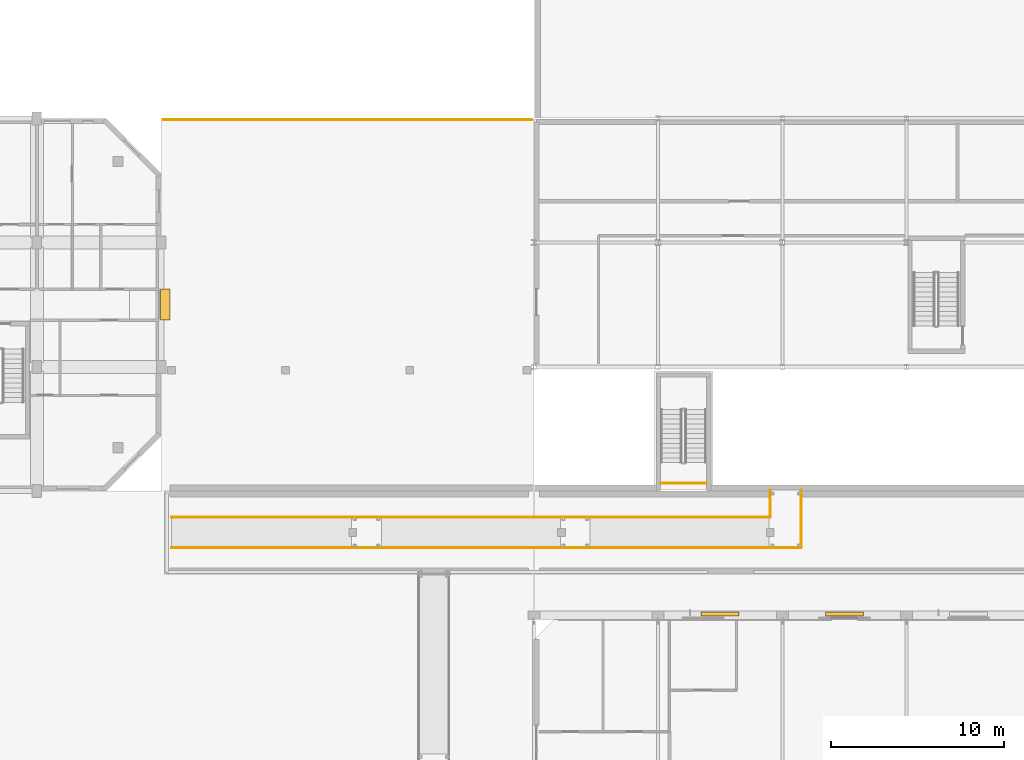
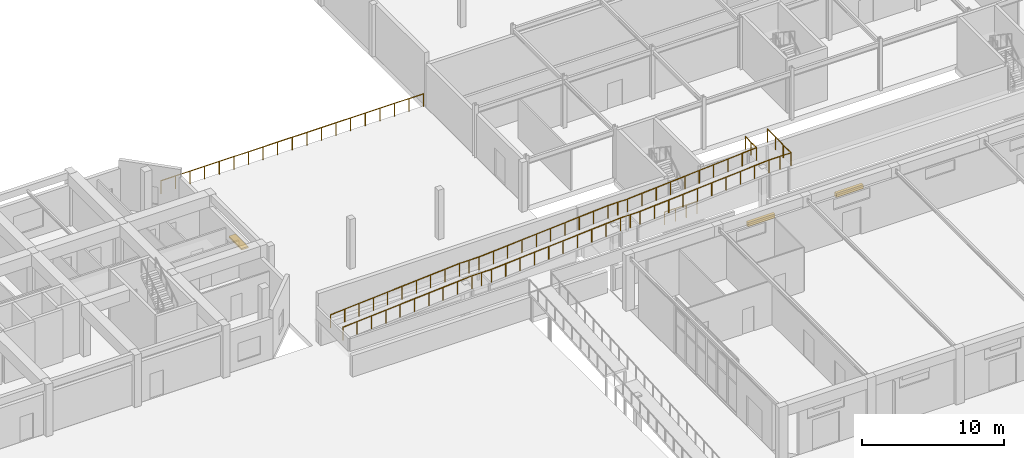
# One storey, part 78 of 85: 4 railings, 3 shading devices.
"""IFC4 building model written with IfcOpenShell, lengths in metres."""

from ifc_helpers import new_model, si_unit, direction, frame, origin, origin_2d, place, context, subcontext, project, spatial, rectangle, circle, extrude, material, type_object, element, save


model = new_model("IFC4")

# Units and contexts
model_context = context("Model", 3, precision=1e-05, world=origin(), true_north=direction((0.0, 1.0)))
body_context = subcontext(model_context, "Body", "Model", "MODEL_VIEW")
ifc_project = project(units=[si_unit("LENGTHUNIT", "METRE"), si_unit("AREAUNIT", "SQUARE_METRE"), si_unit("VOLUMEUNIT", "CUBIC_METRE"), si_unit("PLANEANGLEUNIT", "RADIAN"), si_unit("MASSUNIT", "GRAM", prefix="KILO")], contexts=[model_context])

# Site, building, storey
site_placement = place(None, origin())
site = spatial("IfcSite", under=ifc_project, at=site_placement, CompositionType="ELEMENT")
building_placement = place(site_placement, origin())
building = spatial("IfcBuilding", under=site, at=building_placement, Name="Ochrevale Crest", CompositionType="ELEMENT")
storey_placement = place(building_placement, origin())
storey = spatial("IfcBuildingStorey", under=building, at=storey_placement, Name="L00", CompositionType="ELEMENT", Elevation=0.0)

# Railings
ifc_material_1 = material(Name="Galvanised steel", Category="steel")
railing_type_1 = type_object("IfcRailingType", Name="RL-ST-GUARD-EXT", PredefinedType="BALUSTRADE", material=ifc_material_1)
railing_1_placement = place(storey_placement, frame((67.60009765625, 72.449951171875, 0.0)))
element("IfcRailing", 1, at=railing_1_placement, inside=storey, type_object=railing_type_1, Name="L00 ST-CW1 stair guard 5", PredefinedType="BALUSTRADE", context=body_context, shape_type="SweptSolid", body=[
    extrude(circle(Radius=0.02392578125, at=origin_2d()), frame((0.0, 0.0, 1.076171875), z_axis=(-1.0, 0.0, 0.0), x_axis=(0.0, -1.0, 0.0)), (0.0, 0.0, 1.0), 2.650146484375),
    extrude(circle(Radius=0.02099609375, at=origin_2d()), origin(), (0.0, 0.0, 1.0), 1.052001953125),
    extrude(circle(Radius=0.02099609375, at=origin_2d()), frame((-0.88330078125, 0.0, 0.0)), (0.0, 0.0, 1.0), 1.052001953125),
    extrude(circle(Radius=0.02099609375, at=origin_2d()), frame((-1.766845703125, 0.0, 0.0)), (0.0, 0.0, 1.0), 1.052001953125),
    extrude(circle(Radius=0.02099609375, at=origin_2d()), frame((-2.650146484375, 0.0, 0.0)), (0.0, 0.0, 1.0), 1.052001953125),
])
railing_type_2 = type_object("IfcRailingType", Name="RL-TER-1120", PredefinedType="BALUSTRADE", material=ifc_material_1)
railing_2_placement = place(storey_placement, frame((36.10009765625, 93.52001953125, 0.0)))
element("IfcRailing", 2, at=railing_2_placement, inside=storey, type_object=railing_type_2, Name="West courtyard plaza north balustrade", PredefinedType="BALUSTRADE", context=body_context, shape_type="SweptSolid", body=[
    extrude(circle(Radius=0.02392578125, at=origin_2d()), frame((0.0, 0.0, 1.09619140625), z_axis=(1.0, 0.0, 0.0), x_axis=(0.0, 1.0, 0.0)), (0.0, 0.0, 1.0), 21.39990234375),
    extrude(circle(Radius=0.02099609375, at=origin_2d()), origin(), (0.0, 0.0, 1.0), 1.072021484375),
    extrude(circle(Radius=0.02099609375, at=origin_2d()), frame((1.18896484375, 0.0, 0.0)), (0.0, 0.0, 1.0), 1.072021484375),
    extrude(circle(Radius=0.02099609375, at=origin_2d()), frame((2.377685546875, 0.0, 0.0)), (0.0, 0.0, 1.0), 1.072021484375),
    extrude(circle(Radius=0.02099609375, at=origin_2d()), frame((3.566650390625, 0.0, 0.0)), (0.0, 0.0, 1.0), 1.072021484375),
    extrude(circle(Radius=0.02099609375, at=origin_2d()), frame((4.755615234375, 0.0, 0.0)), (0.0, 0.0, 1.0), 1.072021484375),
    extrude(circle(Radius=0.02099609375, at=origin_2d()), frame((5.9443359375, 0.0, 0.0)), (0.0, 0.0, 1.0), 1.072021484375),
    extrude(circle(Radius=0.02099609375, at=origin_2d()), frame((7.13330078125, 0.0, 0.0)), (0.0, 0.0, 1.0), 1.072021484375),
    extrude(circle(Radius=0.02099609375, at=origin_2d()), frame((8.322265625, 0.0, 0.0)), (0.0, 0.0, 1.0), 1.072021484375),
    extrude(circle(Radius=0.02099609375, at=origin_2d()), frame((9.510986328125, 0.0, 0.0)), (0.0, 0.0, 1.0), 1.072021484375),
    extrude(circle(Radius=0.02099609375, at=origin_2d()), frame((10.699951171875, 0.0, 0.0)), (0.0, 0.0, 1.0), 1.072021484375),
    extrude(circle(Radius=0.02099609375, at=origin_2d()), frame((11.888916015625, 0.0, 0.0)), (0.0, 0.0, 1.0), 1.072021484375),
    extrude(circle(Radius=0.02099609375, at=origin_2d()), frame((13.07763671875, 0.0, 0.0)), (0.0, 0.0, 1.0), 1.072021484375),
    extrude(circle(Radius=0.02099609375, at=origin_2d()), frame((14.2666015625, 0.0, 0.0)), (0.0, 0.0, 1.0), 1.072021484375),
    extrude(circle(Radius=0.02099609375, at=origin_2d()), frame((15.45556640625, 0.0, 0.0)), (0.0, 0.0, 1.0), 1.072021484375),
    extrude(circle(Radius=0.02099609375, at=origin_2d()), frame((16.644287109375, 0.0, 0.0)), (0.0, 0.0, 1.0), 1.072021484375),
    extrude(circle(Radius=0.02099609375, at=origin_2d()), frame((17.833251953125, 0.0, 0.0)), (0.0, 0.0, 1.0), 1.072021484375),
    extrude(circle(Radius=0.02099609375, at=origin_2d()), frame((19.022216796875, 0.0, 0.0)), (0.0, 0.0, 1.0), 1.072021484375),
    extrude(circle(Radius=0.02099609375, at=origin_2d()), frame((20.2109375, 0.0, 0.0)), (0.0, 0.0, 1.0), 1.072021484375),
    extrude(circle(Radius=0.02099609375, at=origin_2d()), frame((21.39990234375, 0.0, 0.0)), (0.0, 0.0, 1.0), 1.072021484375),
])
railing_3_placement = place(storey_placement, frame((36.60009765625, 68.719970703125, 2.25)))
element("IfcRailing", 3, at=railing_3_placement, inside=storey, type_object=railing_type_2, Name="Accessible ramp W2 south guard", PredefinedType="BALUSTRADE", context=body_context, shape_type="SweptSolid", body=[
    extrude(circle(Radius=0.02392578125, at=origin_2d()), frame((0.0, 0.0, 1.09619140625), z_axis=(0.997458699831, 0.0, 0.071247049988), x_axis=(0.0, 1.0, 0.0)), (0.0, 0.0, 1.0), 10.52685546875),
    extrude(circle(Radius=0.02392578125, at=origin_2d()), frame((10.5, 0.0, 1.84619140625), z_axis=(1.0, 0.0, 0.0), x_axis=(0.0, 1.0, 0.0)), (0.0, 0.0, 1.0), 1.599853515625),
    extrude(circle(Radius=0.02392578125, at=origin_2d()), frame((12.099853515625, 0.0, 1.84619140625), z_axis=(0.997458699831, 0.0, 0.071247049988), x_axis=(0.0, 1.0, 0.0)), (0.0, 0.0, 1.0), 10.52685546875),
    extrude(circle(Radius=0.02392578125, at=origin_2d()), frame((22.599853515625, 0.0, 2.59619140625), z_axis=(1.0, 0.0, 0.0), x_axis=(0.0, 1.0, 0.0)), (0.0, 0.0, 1.0), 1.60009765625),
    extrude(circle(Radius=0.02392578125, at=origin_2d()), frame((24.199951171875, 0.0, 2.59619140625), z_axis=(0.997458699831, 0.0, 0.071247049988), x_axis=(0.0, 1.0, 0.0)), (0.0, 0.0, 1.0), 10.52685546875),
    extrude(circle(Radius=0.02392578125, at=origin_2d()), frame((34.699951171875, 0.0, 3.34619140625), z_axis=(1.0, 0.0, 0.0), x_axis=(0.0, 1.0, 0.0)), (0.0, 0.0, 1.0), 1.800048828125),
    extrude(circle(Radius=0.02392578125, at=origin_2d()), frame((36.5, 0.0, 3.34619140625), z_axis=(0.0, 1.0, 0.0), x_axis=(-1.0, 0.0, 0.0)), (0.0, 0.0, 1.0), 3.330078125),
    extrude(circle(Radius=0.02099609375, at=origin_2d()), origin(), (0.0, 0.0, 1.0), 1.072021484375),
    extrude(circle(Radius=0.02099609375, at=origin_2d()), frame((1.166748046875, 0.0, 0.083251953125)), (0.0, 0.0, 1.0), 1.072021484375),
    extrude(circle(Radius=0.02099609375, at=origin_2d()), frame((2.333251953125, 0.0, 0.166748046875)), (0.0, 0.0, 1.0), 1.072021484375),
    extrude(circle(Radius=0.02099609375, at=origin_2d()), frame((3.5, 0.0, 0.25)), (0.0, 0.0, 1.0), 1.072021484375),
    extrude(circle(Radius=0.02099609375, at=origin_2d()), frame((4.666748046875, 0.0, 0.333251953125)), (0.0, 0.0, 1.0), 1.072021484375),
    extrude(circle(Radius=0.02099609375, at=origin_2d()), frame((5.833251953125, 0.0, 0.416748046875)), (0.0, 0.0, 1.0), 1.072021484375),
    extrude(circle(Radius=0.02099609375, at=origin_2d()), frame((7.0, 0.0, 0.5)), (0.0, 0.0, 1.0), 1.072021484375),
    extrude(circle(Radius=0.02099609375, at=origin_2d()), frame((8.166748046875, 0.0, 0.583251953125)), (0.0, 0.0, 1.0), 1.072021484375),
    extrude(circle(Radius=0.02099609375, at=origin_2d()), frame((9.333251953125, 0.0, 0.666748046875)), (0.0, 0.0, 1.0), 1.072021484375),
    extrude(circle(Radius=0.02099609375, at=origin_2d()), frame((10.5, 0.0, 0.75)), (0.0, 0.0, 1.0), 1.072021484375),
    extrude(circle(Radius=0.02099609375, at=origin_2d()), frame((11.2998046875, 0.0, 0.75)), (0.0, 0.0, 1.0), 1.072021484375),
    extrude(circle(Radius=0.02099609375, at=origin_2d()), frame((12.099853515625, 0.0, 0.75)), (0.0, 0.0, 1.0), 1.072021484375),
    extrude(circle(Radius=0.02099609375, at=origin_2d()), frame((13.2666015625, 0.0, 0.833251953125)), (0.0, 0.0, 1.0), 1.072021484375),
    extrude(circle(Radius=0.02099609375, at=origin_2d()), frame((14.43310546875, 0.0, 0.916748046875)), (0.0, 0.0, 1.0), 1.072021484375),
    extrude(circle(Radius=0.02099609375, at=origin_2d()), frame((15.599853515625, 0.0, 1.0)), (0.0, 0.0, 1.0), 1.072021484375),
    extrude(circle(Radius=0.02099609375, at=origin_2d()), frame((16.7666015625, 0.0, 1.083251953125)), (0.0, 0.0, 1.0), 1.072021484375),
    extrude(circle(Radius=0.02099609375, at=origin_2d()), frame((17.93310546875, 0.0, 1.166748046875)), (0.0, 0.0, 1.0), 1.072021484375),
    extrude(circle(Radius=0.02099609375, at=origin_2d()), frame((19.099853515625, 0.0, 1.25)), (0.0, 0.0, 1.0), 1.072021484375),
    extrude(circle(Radius=0.02099609375, at=origin_2d()), frame((20.2666015625, 0.0, 1.333251953125)), (0.0, 0.0, 1.0), 1.072021484375),
    extrude(circle(Radius=0.02099609375, at=origin_2d()), frame((21.43310546875, 0.0, 1.416748046875)), (0.0, 0.0, 1.0), 1.072021484375),
    extrude(circle(Radius=0.02099609375, at=origin_2d()), frame((22.599853515625, 0.0, 1.5)), (0.0, 0.0, 1.0), 1.072021484375),
    extrude(circle(Radius=0.02099609375, at=origin_2d()), frame((23.39990234375, 0.0, 1.5)), (0.0, 0.0, 1.0), 1.072021484375),
    extrude(circle(Radius=0.02099609375, at=origin_2d()), frame((24.199951171875, 0.0, 1.5)), (0.0, 0.0, 1.0), 1.072021484375),
    extrude(circle(Radius=0.02099609375, at=origin_2d()), frame((25.36669921875, 0.0, 1.583251953125)), (0.0, 0.0, 1.0), 1.072021484375),
    extrude(circle(Radius=0.02099609375, at=origin_2d()), frame((26.533203125, 0.0, 1.666748046875)), (0.0, 0.0, 1.0), 1.072021484375),
    extrude(circle(Radius=0.02099609375, at=origin_2d()), frame((27.699951171875, 0.0, 1.75)), (0.0, 0.0, 1.0), 1.072021484375),
    extrude(circle(Radius=0.02099609375, at=origin_2d()), frame((28.86669921875, 0.0, 1.833251953125)), (0.0, 0.0, 1.0), 1.072021484375),
    extrude(circle(Radius=0.02099609375, at=origin_2d()), frame((30.033203125, 0.0, 1.916748046875)), (0.0, 0.0, 1.0), 1.072021484375),
    extrude(circle(Radius=0.02099609375, at=origin_2d()), frame((31.199951171875, 0.0, 2.0)), (0.0, 0.0, 1.0), 1.072021484375),
    extrude(circle(Radius=0.02099609375, at=origin_2d()), frame((32.36669921875, 0.0, 2.083251953125)), (0.0, 0.0, 1.0), 1.072021484375),
    extrude(circle(Radius=0.02099609375, at=origin_2d()), frame((33.533203125, 0.0, 2.166748046875)), (0.0, 0.0, 1.0), 1.072021484375),
    extrude(circle(Radius=0.02099609375, at=origin_2d()), frame((34.699951171875, 0.0, 2.25)), (0.0, 0.0, 1.0), 1.072021484375),
    extrude(circle(Radius=0.02099609375, at=origin_2d()), frame((35.60009765625, 0.0, 2.25)), (0.0, 0.0, 1.0), 1.072021484375),
    extrude(circle(Radius=0.02099609375, at=origin_2d()), frame((36.5, 0.0, 2.25)), (0.0, 0.0, 1.0), 1.072021484375),
    extrude(circle(Radius=0.02099609375, at=origin_2d()), frame((36.5, 1.110107421875, 2.25)), (0.0, 0.0, 1.0), 1.072021484375),
    extrude(circle(Radius=0.02099609375, at=origin_2d()), frame((36.5, 2.219970703125, 2.25)), (0.0, 0.0, 1.0), 1.072021484375),
    extrude(circle(Radius=0.02099609375, at=origin_2d()), frame((36.5, 3.330078125, 2.25)), (0.0, 0.0, 1.0), 1.072021484375),
])
railing_4_placement = place(storey_placement, frame((36.60009765625, 70.47998046875, 2.25)))
element("IfcRailing", 4, at=railing_4_placement, inside=storey, type_object=railing_type_2, Name="Accessible ramp W2 north guard", PredefinedType="BALUSTRADE", context=body_context, shape_type="SweptSolid", body=[
    extrude(circle(Radius=0.02392578125, at=origin_2d()), frame((0.0, 0.0, 1.09619140625), z_axis=(0.997458699831, 0.0, 0.071247049988), x_axis=(0.0, 1.0, 0.0)), (0.0, 0.0, 1.0), 10.52685546875),
    extrude(circle(Radius=0.02392578125, at=origin_2d()), frame((10.5, 0.0, 1.84619140625), z_axis=(1.0, 0.0, 0.0), x_axis=(0.0, 1.0, 0.0)), (0.0, 0.0, 1.0), 1.599853515625),
    extrude(circle(Radius=0.02392578125, at=origin_2d()), frame((12.099853515625, 0.0, 1.84619140625), z_axis=(0.997458699831, 0.0, 0.071247049988), x_axis=(0.0, 1.0, 0.0)), (0.0, 0.0, 1.0), 10.52685546875),
    extrude(circle(Radius=0.02392578125, at=origin_2d()), frame((22.599853515625, 0.0, 2.59619140625), z_axis=(1.0, 0.0, 0.0), x_axis=(0.0, 1.0, 0.0)), (0.0, 0.0, 1.0), 1.60009765625),
    extrude(circle(Radius=0.02392578125, at=origin_2d()), frame((24.199951171875, 0.0, 2.59619140625), z_axis=(0.997458699831, 0.0, 0.071247049988), x_axis=(0.0, 1.0, 0.0)), (0.0, 0.0, 1.0), 10.52685546875),
    extrude(circle(Radius=0.02392578125, at=origin_2d()), frame((34.699951171875, 0.0, 3.34619140625), z_axis=(0.0, 1.0, 0.0), x_axis=(-1.0, 0.0, 0.0)), (0.0, 0.0, 1.0), 1.570068359375),
    extrude(circle(Radius=0.02099609375, at=origin_2d()), origin(), (0.0, 0.0, 1.0), 1.072021484375),
    extrude(circle(Radius=0.02099609375, at=origin_2d()), frame((1.166748046875, 0.0, 0.083251953125)), (0.0, 0.0, 1.0), 1.072021484375),
    extrude(circle(Radius=0.02099609375, at=origin_2d()), frame((2.333251953125, 0.0, 0.166748046875)), (0.0, 0.0, 1.0), 1.072021484375),
    extrude(circle(Radius=0.02099609375, at=origin_2d()), frame((3.5, 0.0, 0.25)), (0.0, 0.0, 1.0), 1.072021484375),
    extrude(circle(Radius=0.02099609375, at=origin_2d()), frame((4.666748046875, 0.0, 0.333251953125)), (0.0, 0.0, 1.0), 1.072021484375),
    extrude(circle(Radius=0.02099609375, at=origin_2d()), frame((5.833251953125, 0.0, 0.416748046875)), (0.0, 0.0, 1.0), 1.072021484375),
    extrude(circle(Radius=0.02099609375, at=origin_2d()), frame((7.0, 0.0, 0.5)), (0.0, 0.0, 1.0), 1.072021484375),
    extrude(circle(Radius=0.02099609375, at=origin_2d()), frame((8.166748046875, 0.0, 0.583251953125)), (0.0, 0.0, 1.0), 1.072021484375),
    extrude(circle(Radius=0.02099609375, at=origin_2d()), frame((9.333251953125, 0.0, 0.666748046875)), (0.0, 0.0, 1.0), 1.072021484375),
    extrude(circle(Radius=0.02099609375, at=origin_2d()), frame((10.5, 0.0, 0.75)), (0.0, 0.0, 1.0), 1.072021484375),
    extrude(circle(Radius=0.02099609375, at=origin_2d()), frame((11.2998046875, 0.0, 0.75)), (0.0, 0.0, 1.0), 1.072021484375),
    extrude(circle(Radius=0.02099609375, at=origin_2d()), frame((12.099853515625, 0.0, 0.75)), (0.0, 0.0, 1.0), 1.072021484375),
    extrude(circle(Radius=0.02099609375, at=origin_2d()), frame((13.2666015625, 0.0, 0.833251953125)), (0.0, 0.0, 1.0), 1.072021484375),
    extrude(circle(Radius=0.02099609375, at=origin_2d()), frame((14.43310546875, 0.0, 0.916748046875)), (0.0, 0.0, 1.0), 1.072021484375),
    extrude(circle(Radius=0.02099609375, at=origin_2d()), frame((15.599853515625, 0.0, 1.0)), (0.0, 0.0, 1.0), 1.072021484375),
    extrude(circle(Radius=0.02099609375, at=origin_2d()), frame((16.7666015625, 0.0, 1.083251953125)), (0.0, 0.0, 1.0), 1.072021484375),
    extrude(circle(Radius=0.02099609375, at=origin_2d()), frame((17.93310546875, 0.0, 1.166748046875)), (0.0, 0.0, 1.0), 1.072021484375),
    extrude(circle(Radius=0.02099609375, at=origin_2d()), frame((19.099853515625, 0.0, 1.25)), (0.0, 0.0, 1.0), 1.072021484375),
    extrude(circle(Radius=0.02099609375, at=origin_2d()), frame((20.2666015625, 0.0, 1.333251953125)), (0.0, 0.0, 1.0), 1.072021484375),
    extrude(circle(Radius=0.02099609375, at=origin_2d()), frame((21.43310546875, 0.0, 1.416748046875)), (0.0, 0.0, 1.0), 1.072021484375),
    extrude(circle(Radius=0.02099609375, at=origin_2d()), frame((22.599853515625, 0.0, 1.5)), (0.0, 0.0, 1.0), 1.072021484375),
    extrude(circle(Radius=0.02099609375, at=origin_2d()), frame((23.39990234375, 0.0, 1.5)), (0.0, 0.0, 1.0), 1.072021484375),
    extrude(circle(Radius=0.02099609375, at=origin_2d()), frame((24.199951171875, 0.0, 1.5)), (0.0, 0.0, 1.0), 1.072021484375),
    extrude(circle(Radius=0.02099609375, at=origin_2d()), frame((25.36669921875, 0.0, 1.583251953125)), (0.0, 0.0, 1.0), 1.072021484375),
    extrude(circle(Radius=0.02099609375, at=origin_2d()), frame((26.533203125, 0.0, 1.666748046875)), (0.0, 0.0, 1.0), 1.072021484375),
    extrude(circle(Radius=0.02099609375, at=origin_2d()), frame((27.699951171875, 0.0, 1.75)), (0.0, 0.0, 1.0), 1.072021484375),
    extrude(circle(Radius=0.02099609375, at=origin_2d()), frame((28.86669921875, 0.0, 1.833251953125)), (0.0, 0.0, 1.0), 1.072021484375),
    extrude(circle(Radius=0.02099609375, at=origin_2d()), frame((30.033203125, 0.0, 1.916748046875)), (0.0, 0.0, 1.0), 1.072021484375),
    extrude(circle(Radius=0.02099609375, at=origin_2d()), frame((31.199951171875, 0.0, 2.0)), (0.0, 0.0, 1.0), 1.072021484375),
    extrude(circle(Radius=0.02099609375, at=origin_2d()), frame((32.36669921875, 0.0, 2.083251953125)), (0.0, 0.0, 1.0), 1.072021484375),
    extrude(circle(Radius=0.02099609375, at=origin_2d()), frame((33.533203125, 0.0, 2.166748046875)), (0.0, 0.0, 1.0), 1.072021484375),
    extrude(circle(Radius=0.02099609375, at=origin_2d()), frame((34.699951171875, 0.0, 2.25)), (0.0, 0.0, 1.0), 1.072021484375),
    extrude(circle(Radius=0.02099609375, at=origin_2d()), frame((34.699951171875, 0.78515625, 2.25)), (0.0, 0.0, 1.0), 1.072021484375),
    extrude(circle(Radius=0.02099609375, at=origin_2d()), frame((34.699951171875, 1.570068359375, 2.25)), (0.0, 0.0, 1.0), 1.072021484375),
])

# Shading devices
ifc_material_2 = material(Name="Anodised aluminium 6063-T5", Category="aluminium")
shading_device_type_1 = type_object("IfcShadingDeviceType", Name="SHD-LOUVRE-AL", PredefinedType="JALOUSIE", material=ifc_material_2)
for number, where, z_axis, x_axis, name in (
    (5, (68.39990234375, 64.8798828125, 3.64501953125), (0.0, 0.0, 1.0), (1.0, 0.0, 0.0), "Community Hall N bronze sun-control louvre 2"),
    (6, (75.60009765625, 64.8798828125, 3.64501953125), (0.0, 0.0, 1.0), (1.0, 0.0, 0.0), "Community Hall N bronze sun-control louvre 3"),
):
    element("IfcShadingDevice", number, at=place(storey_placement, frame(where, z_axis=z_axis, x_axis=x_axis)), inside=storey, type_object=shading_device_type_1, Name=name, PredefinedType="JALOUSIE", context=body_context, shape_type="SweptSolid", body=[
        extrude(rectangle(XDim=2.199951171875, YDim=0.239990234375, at=origin_2d()), origin(), (0.0, 0.0, 1.0), 0.35009765625),
    ])
shading_device_type_2 = type_object("IfcShadingDeviceType", Name="SHD-SUNSHADE-OC", PredefinedType="USERDEFINED", material=ifc_material_2)
shading_device_placement = place(storey_placement, frame((36.239990234375, 82.800048828125, 2.2099609375), z_axis=(0.0, 0.0, 1.0), x_axis=(1.0, 0.0, 0.0)))
element("IfcShadingDevice", 7, at=shading_device_placement, inside=storey, type_object=shading_device_type_2, Name="Block B L00 gable window sunshade E", ObjectType="HORIZONTAL SUNSHADE", PredefinedType="USERDEFINED", context=body_context, shape_type="SweptSolid", body=[
    extrude(rectangle(XDim=0.550048828125, YDim=1.800048828125, at=origin_2d()), origin(), (0.0, 0.0, 1.0), 0.139892578125),
])

save(model, "model.ifc")
